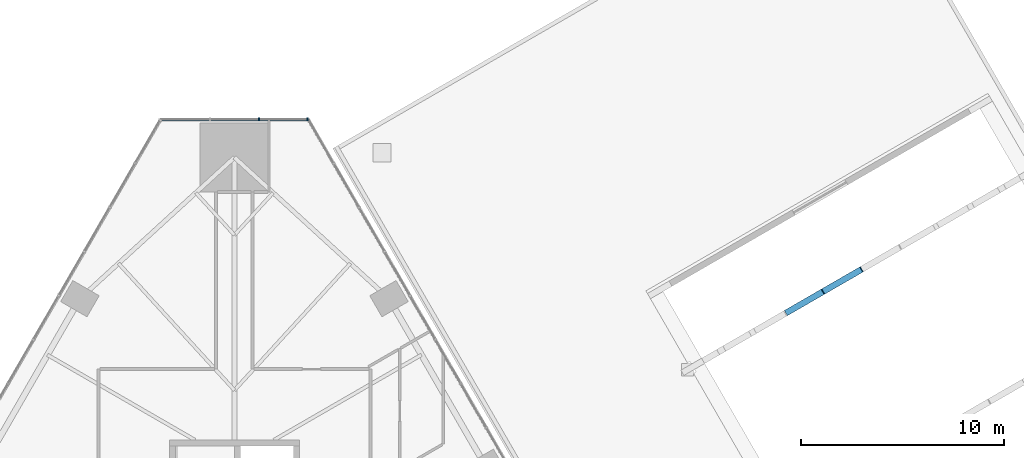
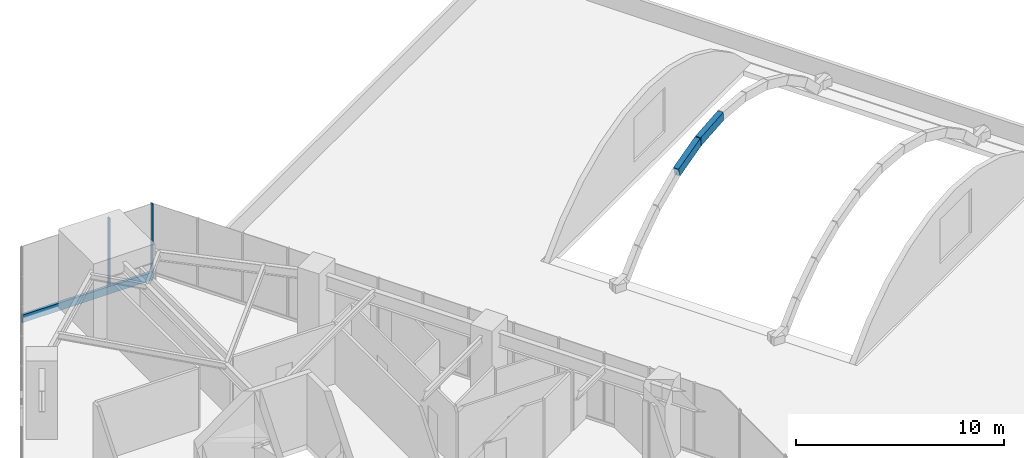
# One storey, part 13 of 23: 5 members, 1 element without a shape of its own.
"""IFC4 building model written with IfcOpenShell, lengths in metres."""

from ifc_helpers import new_model, si_unit, direction, frame, origin, origin_2d, place, context, subcontext, project, spatial, rectangle, extrude, material, layer, layer_set, material_profile, profile_set, type_object, element, aggregate, save


model = new_model("IFC4")

# Units and contexts
model_context = context("Model", 3, precision=1e-05, world=origin(), true_north=direction((0.0, 1.0)))
body_context = subcontext(model_context, "Body", "Model", "MODEL_VIEW")
ifc_project = project(units=[si_unit("LENGTHUNIT", "METRE"), si_unit("AREAUNIT", "SQUARE_METRE"), si_unit("VOLUMEUNIT", "CUBIC_METRE"), si_unit("PLANEANGLEUNIT", "RADIAN"), si_unit("MASSUNIT", "GRAM", prefix="KILO")], contexts=[model_context])

# Site, building, storey
site_placement = place(None, origin())
site = spatial("IfcSite", under=ifc_project, at=site_placement, CompositionType="ELEMENT")
building_placement = place(site_placement, origin())
building = spatial("IfcBuilding", under=site, at=building_placement, Name="Firuza Gate Tower and Library", CompositionType="ELEMENT")
storey_placement = place(building_placement, frame((0.0, 0.0, 26.39990234375)))
storey = spatial("IfcBuildingStorey", under=building, at=storey_placement, Name="L05", CompositionType="ELEMENT", Elevation=26.39990234375)

# Curtain wall, members
ifc_material_1 = material(Name="Aluminium 6063-T6", Category="aluminium")
ifc_layer = layer(ifc_material_1, 0.14990234375)
ifc_layer_set = layer_set([ifc_layer], Name="Stick curtain wall, podium")
curtain_wall_type = type_object("IfcCurtainWallType", Name="Stick curtain wall, podium", PredefinedType="NOTDEFINED", material=ifc_layer_set)
curtain_wall_placement = place(storey_placement, origin())
curtain_wall = element("IfcCurtainWall", 1, at=curtain_wall_placement, inside=storey, type_object=curtain_wall_type, Name="CW5 L05 N", PredefinedType="NOTDEFINED")
ifc_material_2 = material(Name="Aluminium 6063-T6", Category="aluminium")
ifc_material_profile_1 = material_profile(ifc_material_2, rectangle(XDim=0.14990234375, YDim=0.080078125, at=origin_2d()))
ifc_profile_set_1 = profile_set([ifc_material_profile_1], Name="Aluminium 6063-T6")
member_type_1 = type_object("IfcMemberType", Name="Curtain wall mullion 80x150", PredefinedType="MULLION", material=ifc_profile_set_1)
member_1_placement = place(storey_placement, frame((78.603271484375, 110.408935546875, 0.150146484375), z_axis=(0.0, 0.0, 1.0), x_axis=(0.0, -1.0, 0.0)))
member_1 = element("IfcMember", 2, at=member_1_placement, type_object=member_type_1, Name="Mullion", PredefinedType="MULLION", context=body_context, shape_type="SweptSolid", body=[
    extrude(rectangle(XDim=0.14990234375, YDim=0.080078125, at=origin_2d()), origin(), (0.0, 0.0, 1.0), 4.0),
])
member_2_placement = place(storey_placement, frame((76.21435546875, 110.408935546875, 0.150146484375), z_axis=(0.0, 0.0, 1.0), x_axis=(0.0, -1.0, 0.0)))
member_2 = element("IfcMember", 3, at=member_2_placement, type_object=member_type_1, Name="Mullion", PredefinedType="MULLION", context=body_context, shape_type="SweptSolid", body=[
    extrude(rectangle(XDim=0.14990234375, YDim=0.080078125, at=origin_2d()), origin(), (0.0, 0.0, 1.0), 4.0),
])
ifc_material_3 = material(Name="Aluminium 6063-T6", Category="aluminium")
ifc_material_profile_2 = material_profile(ifc_material_3, rectangle(XDim=0.14990234375, YDim=0.449951171875, at=origin_2d()))
ifc_profile_set_2 = profile_set([ifc_material_profile_2], Name="Aluminium 6063-T6")
member_type_2 = type_object("IfcMemberType", Name="Curtain wall transom 450x150", PredefinedType="USERDEFINED", material=ifc_profile_set_2)
member_3_placement = place(storey_placement, frame((78.643310546875, 110.408935546875, -0.074951171875), z_axis=(-1.0, 0.0, 0.0), x_axis=(0.0, -1.0, 0.0)))
member_3 = element("IfcMember", 4, at=member_3_placement, type_object=member_type_2, Name="Transom", ObjectType="TRANSOM", PredefinedType="USERDEFINED", context=body_context, shape_type="SweptSolid", body=[
    extrude(rectangle(XDim=0.14990234375, YDim=0.449951171875, at=origin_2d()), origin(), (0.0, 0.0, 1.0), 7.28662109375),
])
aggregate(curtain_wall, [member_1, member_2, member_3])

# Members
ifc_material_4 = material(Name="Concrete C40/50", Category="concrete")
ifc_material_profile_3 = material_profile(ifc_material_4, rectangle(XDim=0.300048828125, YDim=0.5, at=origin_2d()))
ifc_profile_set_3 = profile_set([ifc_material_profile_3], Name="Concrete C40/50")
member_type_3 = type_object("IfcMemberType", Name="LIB VAULT RIB 300X500", PredefinedType="USERDEFINED", material=ifc_profile_set_3)
for number, where, z_axis, x_axis, name in (
    (5, (102.2470703125, 100.892333984375, 3.486328125), (0.837320181497, 0.483521330179, 0.255151008073), (-0.500073142705, 0.865983170705, 0.0), "Reading hall vault rib 2.4"),
    (6, (104.05615234375, 101.93701171875, 4.03759765625), (0.862857579056, 0.498097984348, 0.085878962819), (-0.499944992379, 0.86605716012, 0.0), "Reading hall vault rib 2.5"),
):
    element("IfcMember", number, at=place(storey_placement, frame(where, z_axis=z_axis, x_axis=x_axis)), inside=storey, type_object=member_type_3, Name=name, ObjectType="VAULT RIB", PredefinedType="USERDEFINED", context=body_context, shape_type="SweptSolid", body=[
        extrude(rectangle(XDim=0.300048828125, YDim=0.5, at=origin_2d()), origin(), (0.0, 0.0, 1.0), 2.16064453125),
    ])

save(model, "model.ifc")
